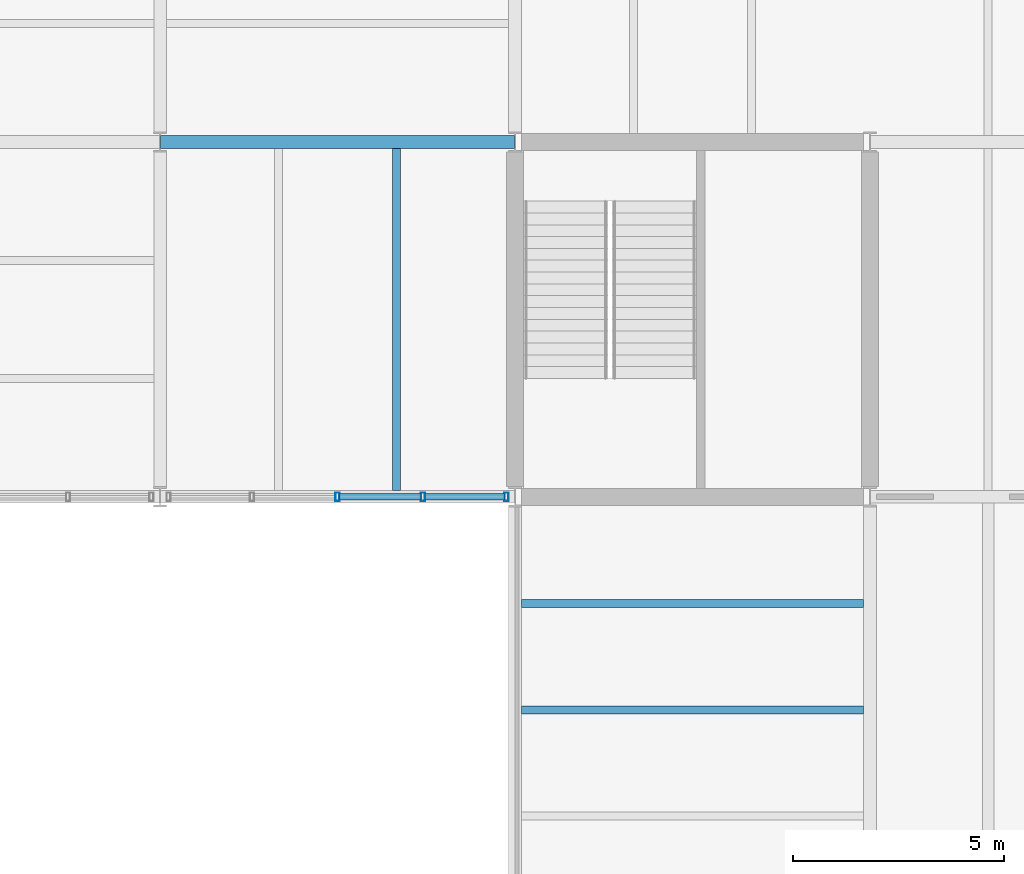
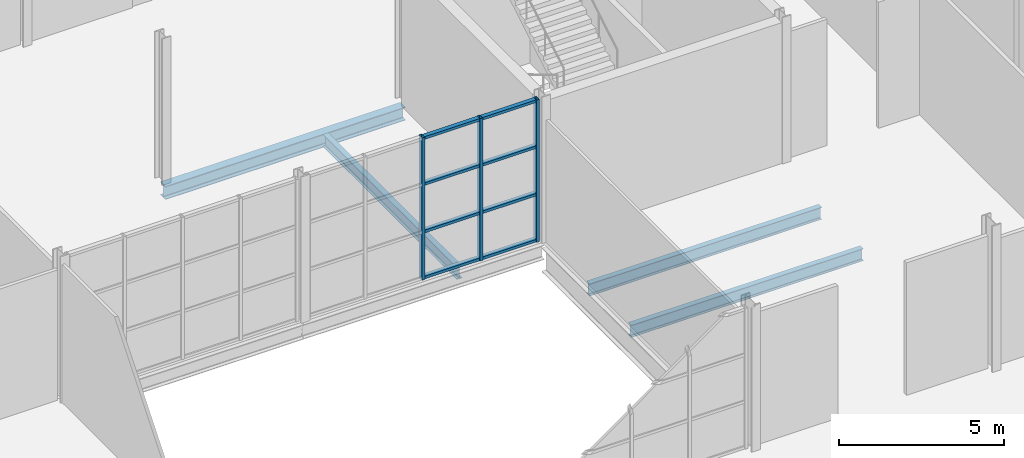
# One storey, part 24 of 57: 11 members, 4 beams, 1 element without a shape of its own.
"""IFC4 building model written with IfcOpenShell, lengths in metres."""

from ifc_helpers import new_model, si_unit, direction, frame, origin, origin_2d, place, context, subcontext, project, spatial, hollow_rectangle, i_section, extrude, material, layer, layer_set, material_profile, profile_set, type_object, element, aggregate, save


model = new_model("IFC4")

# Units and contexts
model_context = context("Model", 3, precision=1e-05, world=origin(), true_north=direction((0.0, 1.0)))
body_context = subcontext(model_context, "Body", "Model", "MODEL_VIEW")
ifc_project = project(units=[si_unit("LENGTHUNIT", "METRE"), si_unit("AREAUNIT", "SQUARE_METRE"), si_unit("VOLUMEUNIT", "CUBIC_METRE"), si_unit("PLANEANGLEUNIT", "RADIAN"), si_unit("MASSUNIT", "GRAM", prefix="KILO")], contexts=[model_context])

# Site, building, storey
site_placement = place(None, origin())
site = spatial("IfcSite", under=ifc_project, at=site_placement, CompositionType="ELEMENT")
building_placement = place(site_placement, origin())
building = spatial("IfcBuilding", under=site, at=building_placement, Name="Galleria Vessillo Department Store", CompositionType="ELEMENT")
storey_placement = place(building_placement, frame((0.0, 0.0, 25.800048828125)))
storey = spatial("IfcBuildingStorey", under=building, at=storey_placement, Name="L05", CompositionType="ELEMENT", Elevation=25.800048828125)

# Beams
ifc_material_1 = material(Name="Steel S355 J2", Category="steel")
ifc_material_profile_1 = material_profile(ifc_material_1, i_section(OverallWidth=0.300048828125, OverallDepth=0.489990234375, WebThickness=0.011962890625, FlangeThickness=0.02294921875, FilletRadius=0.027099609375, at=origin_2d()), Name="HEA 500")
ifc_profile_set_1 = profile_set([ifc_material_profile_1], Name="Steel S355 J2")
beam_type_1 = type_object("IfcBeamType", Name="Floor girder HEA 500", PredefinedType="BEAM", material=ifc_profile_set_1)
beam_1_placement = place(storey_placement, frame((92.41064453125, 46.199951171875, -0.39501953125), z_axis=(1.0, 0.0, 0.0), x_axis=(0.0, 1.0, 0.0)))
element("IfcBeam", 1, at=beam_1_placement, inside=storey, type_object=beam_type_1, Name="S-BM-L05-GI-x46200-92411", PredefinedType="BEAM", context=body_context, shape_type="SweptSolid", body=[
    extrude(i_section(OverallWidth=0.300048828125, OverallDepth=0.489990234375, WebThickness=0.011962890625, FlangeThickness=0.02294921875, FilletRadius=0.027099609375, at=origin_2d()), origin(), (0.0, 0.0, 1.0), 8.378662109375),
])
ifc_material_2 = material(Name="Steel S355 J2", Category="steel")
ifc_material_profile_2 = material_profile(ifc_material_2, i_section(OverallWidth=0.18994140625, OverallDepth=0.449951171875, WebThickness=0.009521484375, FlangeThickness=0.0146484375, FilletRadius=0.02099609375, at=origin_2d()), Name="IPE 450")
ifc_profile_set_2 = profile_set([ifc_material_profile_2], Name="Steel S355 J2")
beam_type_2 = type_object("IfcBeamType", Name="Floor joist IPE 450", PredefinedType="JOIST", material=ifc_profile_set_2)
beam_2_placement = place(storey_placement, frame((98.0, 37.9501953125, -0.375), z_axis=(0.0, 1.0, 0.0), x_axis=(-1.0, 0.0, 0.0)))
element("IfcBeam", 2, at=beam_2_placement, inside=storey, type_object=beam_type_2, Name="S-BM-L05-JO-y98000-37950", PredefinedType="JOIST", context=body_context, shape_type="SweptSolid", body=[
    extrude(i_section(OverallWidth=0.18994140625, OverallDepth=0.449951171875, WebThickness=0.009521484375, FlangeThickness=0.0146484375, FilletRadius=0.02099609375, at=origin_2d()), origin(), (0.0, 0.0, 1.0), 8.099609375),
])
for number, where, z_axis, x_axis, name in (
    (3, (100.9501953125, 32.760009765625, -0.375), (1.0, 0.0, 0.0), (0.0, 1.0, 0.0), "S-BM-L05-JO-x32760-100950"),
    (4, (100.9501953125, 35.280029296875, -0.375), (1.0, 0.0, 0.0), (0.0, 1.0, 0.0), "S-BM-L05-JO-x35280-100950"),
):
    element("IfcBeam", number, at=place(storey_placement, frame(where, z_axis=z_axis, x_axis=x_axis)), inside=storey, type_object=beam_type_2, Name=name, PredefinedType="JOIST", context=body_context, shape_type="SweptSolid", body=[
        extrude(i_section(OverallWidth=0.18994140625, OverallDepth=0.449951171875, WebThickness=0.009521484375, FlangeThickness=0.0146484375, FilletRadius=0.02099609375, at=origin_2d()), origin(), (0.0, 0.0, 1.0), 8.09716796875),
    ])

# Curtain wall, members
ifc_material_3 = material(Name="Steel and fire-resisting glass curtain wall", Category="steel")
ifc_layer = layer(ifc_material_3, 0.199951171875)
ifc_layer_set = layer_set([ifc_layer], Name="Steel and fire-resisting glass curtain wall")
curtain_wall_type = type_object("IfcCurtainWallType", Name="Arcade fire-resisting glazed shopfront EI 120-Sa", PredefinedType="NOTDEFINED", material=ifc_layer_set)
curtain_wall_placement = place(storey_placement, origin())
curtain_wall = element("IfcCurtainWall", 5, at=curtain_wall_placement, inside=storey, type_object=curtain_wall_type, Name="Arcade fire-resisting glazed shopfront EI 120-Sa AI-AE-N-L05-02", PredefinedType="NOTDEFINED")
ifc_material_4 = material(Name="Steel S355 J2", Category="steel")
ifc_material_profile_3 = material_profile(ifc_material_4, hollow_rectangle(XDim=0.199951171875, YDim=0.10009765625, WallThickness=0.008056640625, at=origin_2d()), Name="RHS 200x100x8")
ifc_profile_set_3 = profile_set([ifc_material_profile_3], Name="Steel S355 J2")
member_type_1 = type_object("IfcMemberType", Name="Steel mullion RHS 200x100x8", PredefinedType="MULLION", material=ifc_profile_set_3)
member_1_placement = place(storey_placement, frame((96.60009765625, 37.800048828125, 0.0), z_axis=(0.0, 0.0, 1.0), x_axis=(0.0, 1.0, 0.0)))
member_1 = element("IfcMember", 6, at=member_1_placement, type_object=member_type_1, Name="CW7 mullion 3", PredefinedType="MULLION", context=body_context, shape_type="SweptSolid", body=[
    extrude(hollow_rectangle(XDim=0.199951171875, YDim=0.10009765625, WallThickness=0.008056640625, at=origin_2d()), origin(), (0.0, 0.0, 1.0), 5.25),
])
member_2_placement = place(storey_placement, frame((98.623291015625, 37.800048828125, 0.0), z_axis=(0.0, 0.0, 1.0), x_axis=(0.0, 1.0, 0.0)))
member_2 = element("IfcMember", 7, at=member_2_placement, type_object=member_type_1, Name="CW7 mullion 4", PredefinedType="MULLION", context=body_context, shape_type="SweptSolid", body=[
    extrude(hollow_rectangle(XDim=0.199951171875, YDim=0.10009765625, WallThickness=0.008056640625, at=origin_2d()), origin(), (0.0, 0.0, 1.0), 5.25),
])
member_3_placement = place(storey_placement, frame((100.596435546875, 37.800048828125, 0.0), z_axis=(0.0, 0.0, 1.0), x_axis=(0.0, 1.0, 0.0)))
member_3 = element("IfcMember", 8, at=member_3_placement, type_object=member_type_1, Name="CW7 mullion 5", PredefinedType="MULLION", context=body_context, shape_type="SweptSolid", body=[
    extrude(hollow_rectangle(XDim=0.199951171875, YDim=0.10009765625, WallThickness=0.008056640625, at=origin_2d()), origin(), (0.0, 0.0, 1.0), 5.25),
])
ifc_material_5 = material(Name="Steel S355 J2", Category="steel")
ifc_material_profile_4 = material_profile(ifc_material_5, hollow_rectangle(XDim=0.14990234375, YDim=0.10009765625, WallThickness=0.008056640625, at=origin_2d()), Name="RHS 150x100x8")
ifc_profile_set_4 = profile_set([ifc_material_profile_4], Name="Steel S355 J2")
member_type_2 = type_object("IfcMemberType", Name="Steel transom RHS 150x100x8", PredefinedType="USERDEFINED", material=ifc_profile_set_4)
member_4_placement = place(storey_placement, frame((96.64990234375, 37.800048828125, 0.050048828125), z_axis=(1.0, 0.0, 0.0), x_axis=(0.0, 1.0, 0.0)))
member_4 = element("IfcMember", 9, at=member_4_placement, type_object=member_type_2, Name="CW7 transom 3.1", ObjectType="TRANSOM", PredefinedType="USERDEFINED", context=body_context, shape_type="SweptSolid", body=[
    extrude(hollow_rectangle(XDim=0.14990234375, YDim=0.10009765625, WallThickness=0.008056640625, at=origin_2d()), origin(), (0.0, 0.0, 1.0), 1.92333984375),
])
member_5_placement = place(storey_placement, frame((96.64990234375, 37.800048828125, 1.75), z_axis=(1.0, 0.0, 0.0), x_axis=(0.0, 1.0, 0.0)))
member_5 = element("IfcMember", 10, at=member_5_placement, type_object=member_type_2, Name="CW7 transom 3.2", ObjectType="TRANSOM", PredefinedType="USERDEFINED", context=body_context, shape_type="SweptSolid", body=[
    extrude(hollow_rectangle(XDim=0.14990234375, YDim=0.10009765625, WallThickness=0.008056640625, at=origin_2d()), origin(), (0.0, 0.0, 1.0), 1.92333984375),
])
member_6_placement = place(storey_placement, frame((96.64990234375, 37.800048828125, 3.5), z_axis=(1.0, 0.0, 0.0), x_axis=(0.0, 1.0, 0.0)))
member_6 = element("IfcMember", 11, at=member_6_placement, type_object=member_type_2, Name="CW7 transom 3.3", ObjectType="TRANSOM", PredefinedType="USERDEFINED", context=body_context, shape_type="SweptSolid", body=[
    extrude(hollow_rectangle(XDim=0.14990234375, YDim=0.10009765625, WallThickness=0.008056640625, at=origin_2d()), origin(), (0.0, 0.0, 1.0), 1.92333984375),
])
member_7_placement = place(storey_placement, frame((96.64990234375, 37.800048828125, 5.199951171875), z_axis=(1.0, 0.0, 0.0), x_axis=(0.0, 1.0, 0.0)))
member_7 = element("IfcMember", 12, at=member_7_placement, type_object=member_type_2, Name="CW7 transom 3.4", ObjectType="TRANSOM", PredefinedType="USERDEFINED", context=body_context, shape_type="SweptSolid", body=[
    extrude(hollow_rectangle(XDim=0.14990234375, YDim=0.10009765625, WallThickness=0.008056640625, at=origin_2d()), origin(), (0.0, 0.0, 1.0), 1.92333984375),
])
member_8_placement = place(storey_placement, frame((98.67333984375, 37.800048828125, 0.050048828125), z_axis=(1.0, 0.0, 0.0), x_axis=(0.0, 1.0, 0.0)))
member_8 = element("IfcMember", 13, at=member_8_placement, type_object=member_type_2, Name="CW7 transom 4.1", ObjectType="TRANSOM", PredefinedType="USERDEFINED", context=body_context, shape_type="SweptSolid", body=[
    extrude(hollow_rectangle(XDim=0.14990234375, YDim=0.10009765625, WallThickness=0.008056640625, at=origin_2d()), origin(), (0.0, 0.0, 1.0), 1.873046875),
])
member_9_placement = place(storey_placement, frame((98.67333984375, 37.800048828125, 1.75), z_axis=(1.0, 0.0, 0.0), x_axis=(0.0, 1.0, 0.0)))
member_9 = element("IfcMember", 14, at=member_9_placement, type_object=member_type_2, Name="CW7 transom 4.2", ObjectType="TRANSOM", PredefinedType="USERDEFINED", context=body_context, shape_type="SweptSolid", body=[
    extrude(hollow_rectangle(XDim=0.14990234375, YDim=0.10009765625, WallThickness=0.008056640625, at=origin_2d()), origin(), (0.0, 0.0, 1.0), 1.873046875),
])
member_10_placement = place(storey_placement, frame((98.67333984375, 37.800048828125, 3.5), z_axis=(1.0, 0.0, 0.0), x_axis=(0.0, 1.0, 0.0)))
member_10 = element("IfcMember", 15, at=member_10_placement, type_object=member_type_2, Name="CW7 transom 4.3", ObjectType="TRANSOM", PredefinedType="USERDEFINED", context=body_context, shape_type="SweptSolid", body=[
    extrude(hollow_rectangle(XDim=0.14990234375, YDim=0.10009765625, WallThickness=0.008056640625, at=origin_2d()), origin(), (0.0, 0.0, 1.0), 1.873046875),
])
member_11_placement = place(storey_placement, frame((98.67333984375, 37.800048828125, 5.199951171875), z_axis=(1.0, 0.0, 0.0), x_axis=(0.0, 1.0, 0.0)))
member_11 = element("IfcMember", 16, at=member_11_placement, type_object=member_type_2, Name="CW7 transom 4.4", ObjectType="TRANSOM", PredefinedType="USERDEFINED", context=body_context, shape_type="SweptSolid", body=[
    extrude(hollow_rectangle(XDim=0.14990234375, YDim=0.10009765625, WallThickness=0.008056640625, at=origin_2d()), origin(), (0.0, 0.0, 1.0), 1.873046875),
])
aggregate(curtain_wall, [member_1, member_2, member_3, member_4, member_5, member_6, member_7, member_8, member_9, member_10, member_11])

save(model, "model.ifc")
